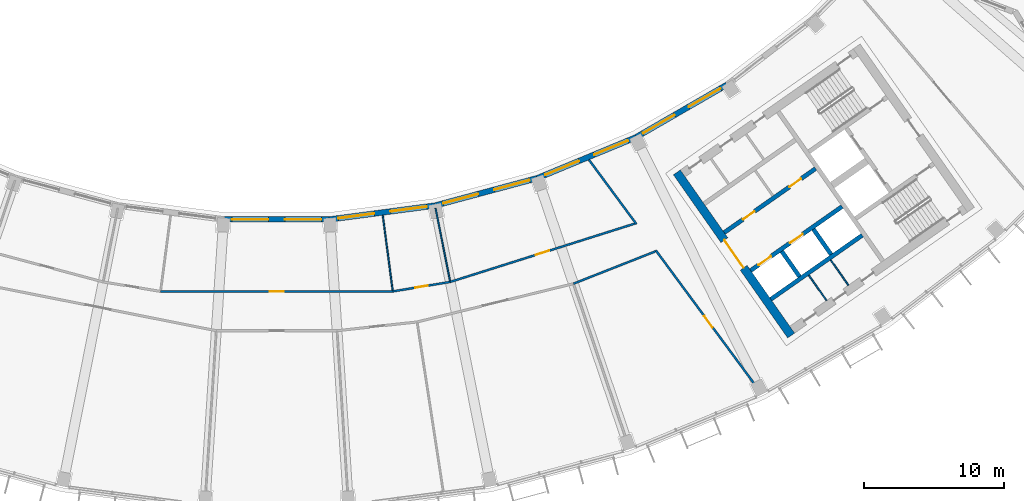
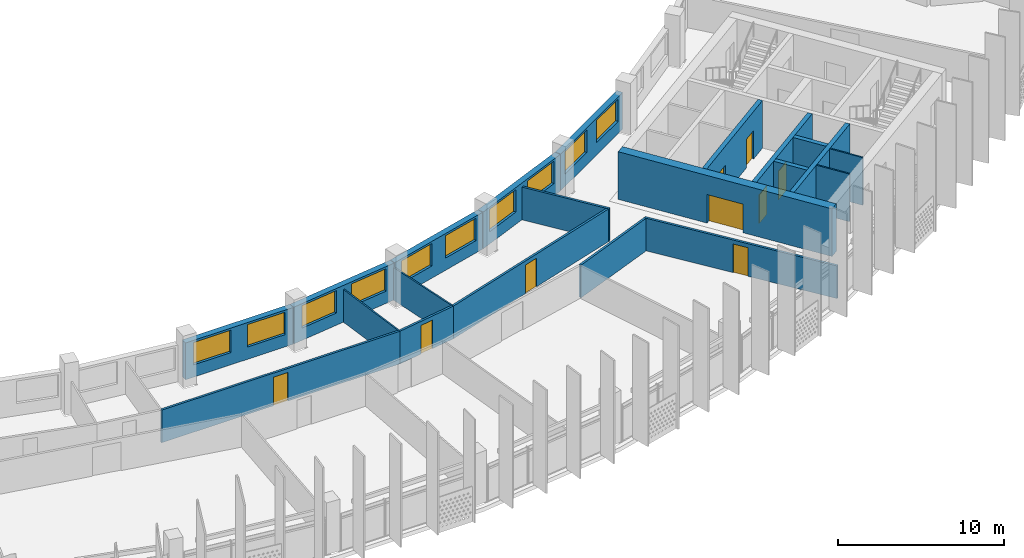
# One storey, part 5 of 29: 21 walls, 10 windows, 9 doors, 19 openings.
"""IFC4 building model written with IfcOpenShell, lengths in metres."""

from ifc_helpers import new_model, si_unit, direction, frame, frame_2d, origin, place, context, subcontext, project, spatial, rectangle, extrude, material, layer, layer_set, type_object, element, fill, save


model = new_model("IFC4")

# Units and contexts
model_context = context("Model", 3, precision=1e-05, world=origin(), true_north=direction((0.0, 1.0)))
body_context = subcontext(model_context, "Body", "Model", "MODEL_VIEW")
ifc_project = project(units=[si_unit("LENGTHUNIT", "METRE"), si_unit("AREAUNIT", "SQUARE_METRE"), si_unit("VOLUMEUNIT", "CUBIC_METRE"), si_unit("PLANEANGLEUNIT", "RADIAN"), si_unit("MASSUNIT", "GRAM", prefix="KILO")], contexts=[model_context])

# Site, building, storey
site_placement = place(None, origin())
site = spatial("IfcSite", under=ifc_project, at=site_placement, CompositionType="ELEMENT")
building_placement = place(site_placement, origin())
building = spatial("IfcBuilding", under=site, at=building_placement, Name="Qamariyya Broadcast Tower", CompositionType="ELEMENT")
storey_placement = place(building_placement, frame((0.0, 0.0, 258.10009765625)))
storey = spatial("IfcBuildingStorey", under=building, at=storey_placement, Name="L62", CompositionType="ELEMENT", Elevation=258.10009765625)

# Wall, opening, door
ifc_material_1 = material(Name="Concrete C60/75", Category="concrete")
ifc_layer_1 = layer(ifc_material_1, 0.60009765625)
ifc_layer_set_1 = layer_set([ifc_layer_1], Name="Core wall 600 mm Concrete C60/75")
wall_type_1 = type_object("IfcWallType", Name="Core wall 600 mm Concrete C60/75", PredefinedType="SHEAR", material=ifc_layer_set_1)
wall_1_placement = place(storey_placement, frame((36.66748046875, -66.005126953125, 0.0), z_axis=(0.0, 0.0, 1.0), x_axis=(-0.573568499524, 0.819157601658, 0.0)))
wall_1 = element("IfcWall", 1, at=wall_1_placement, inside=storey, type_object=wall_type_1, Name="k-E-L62-WA", PredefinedType="SHEAR", context=body_context, shape_type="SweptSolid", body=[
    extrude(rectangle(XDim=14.19970703125, YDim=0.60009765625, at=frame_2d((7.099853515625, 0.0))), origin(), (0.0, 0.0, 1.0), 3.5),
])
opening_1_placement = place(wall_1_placement, frame((5.89990234375, 0.0, 0.0)))
opening_1 = element("IfcOpeningElement", 2, at=opening_1_placement, cuts=wall_1, Name="Opening KD3-E1", PredefinedType="OPENING", context=body_context, shape_type="SweptSolid", body=[
    extrude(rectangle(XDim=2.39990234375, YDim=2.10009765625, at=frame_2d((1.199951171875, 1.050048828125))), frame((0.0, 0.31005859375, 0.0), z_axis=(0.0, -1.0, 0.0), x_axis=(1.0, 0.0, 0.0)), (0.0, 0.0, 1.0), 0.6201171875),
])
ifc_material_2 = material(Name="Steel fire-resisting door leaf", Category="steel")
door_type_1 = type_object("IfcDoorType", Name="Lift lobby door KD3", OperationType="DOUBLE_DOOR_SINGLE_SWING", PredefinedType="DOOR", material=ifc_material_2)
door_1_placement = place(opening_1_placement, origin())
door_1 = element("IfcDoor", 3, at=door_1_placement, inside=storey, type_object=door_type_1, Name="k-E-L62-WA-D1", OperationType="DOUBLE_DOOR_SINGLE_SWING", OverallHeight=2.10009765625, OverallWidth=2.39990234375, PredefinedType="DOOR", context=body_context, shape_type="SweptSolid", body=[
    extrude(rectangle(XDim=2.39990234375, YDim=2.10009765625, at=frame_2d((1.199951171875, 1.050048828125))), frame((0.0, 0.02490234375, 0.0), z_axis=(0.0, -1.0, 0.0), x_axis=(1.0, 0.0, 0.0)), (0.0, 0.0, 1.0), 0.050048828125),
])
fill(opening_1, door_1)

ifc_material_3 = material(Name="Gypsum board partition")
ifc_layer_2 = layer(ifc_material_3, 0.14990234375)
ifc_layer_set_2 = layer_set([ifc_layer_2], Name="Corridor partition 150 EI 60")
wall_type_2 = type_object("IfcWallType", Name="Corridor partition 150 EI 60", PredefinedType="PARTITIONING", material=ifc_layer_set_2)
wall_2_placement = place(storey_placement, frame((-8.275390625, -62.857666015625, 0.0), z_axis=(0.0, 0.0, 1.0), x_axis=(1.0, 0.0, 0.0)))
wall_2 = element("IfcWall", 4, at=wall_2_placement, inside=storey, type_object=wall_type_2, Name="Partition L62-014", PredefinedType="PARTITIONING", context=body_context, shape_type="SweptSolid", body=[
    extrude(rectangle(XDim=16.55078125, YDim=0.14990234375, at=frame_2d((8.275390625, 0.0))), origin(), (0.0, 0.0, 1.0), 2.39990234375),
])
opening_2_placement = place(wall_2_placement, frame((7.775390625, 0.0, 0.0)))
opening_2 = element("IfcOpeningElement", 5, at=opening_2_placement, cuts=wall_2, Name="Opening L62-D11", PredefinedType="OPENING", context=body_context, shape_type="SweptSolid", body=[
    extrude(rectangle(XDim=1.0, YDim=2.10009765625, at=frame_2d((0.5, 1.050048828125))), frame((0.0, 0.0849609375, 0.0), z_axis=(0.0, -1.0, 0.0), x_axis=(1.0, 0.0, 0.0)), (0.0, 0.0, 1.0), 0.169921875),
])
ifc_material_4 = material(Name="Timber fire door leaf", Category="wood")
door_type_2 = type_object("IfcDoorType", Name="Fire door 1000 x 2100 FD60", OperationType="NOTDEFINED", PredefinedType="DOOR", material=ifc_material_4)
door_2_placement = place(opening_2_placement, origin())
door_2 = element("IfcDoor", 6, at=door_2_placement, inside=storey, type_object=door_type_2, Name="Door L62-D11", OperationType="SINGLE_SWING_RIGHT", OverallHeight=2.10009765625, OverallWidth=1.0, PredefinedType="DOOR", context=body_context, shape_type="SweptSolid", body=[
    extrude(rectangle(XDim=1.0, YDim=2.10009765625, at=frame_2d((0.5, 1.050048828125))), frame((0.0, 0.02490234375, 0.0), z_axis=(0.0, -1.0, 0.0), x_axis=(1.0, 0.0, 0.0)), (0.0, 0.0, 1.0), 0.050048828125),
])
fill(opening_2, door_2)

wall_3_placement = place(storey_placement, frame((8.275390625, -62.857666015625, 0.0), z_axis=(0.0, 0.0, 1.0), x_axis=(0.986644067936, 0.162891016345, 0.0)))
wall_3 = element("IfcWall", 7, at=wall_3_placement, inside=storey, type_object=wall_type_2, Name="Partition L62-021", PredefinedType="PARTITIONING", context=body_context, shape_type="SweptSolid", body=[
    extrude(rectangle(XDim=4.148681640625, YDim=0.14990234375, at=frame_2d((2.07421875, 0.0))), origin(), (0.0, 0.0, 1.0), 2.39990234375),
])
opening_3_placement = place(wall_3_placement, frame((1.62451171875, 0.0, 0.0)))
opening_3 = element("IfcOpeningElement", 8, at=opening_3_placement, cuts=wall_3, Name="Opening L62-D12", PredefinedType="OPENING", context=body_context, shape_type="SweptSolid", body=[
    extrude(rectangle(XDim=0.89990234375, YDim=2.10009765625, at=frame_2d((0.449951171875, 1.050048828125))), frame((0.0, 0.0849609375, 0.0), z_axis=(0.0, -1.0, 0.0), x_axis=(1.0, 0.0, 0.0)), (0.0, 0.0, 1.0), 0.169921875),
])
door_type_3 = type_object("IfcDoorType", Name="Fire door 900 x 2100 FD60", OperationType="NOTDEFINED", PredefinedType="DOOR", material=ifc_material_4)
door_3_placement = place(opening_3_placement, origin())
door_3 = element("IfcDoor", 9, at=door_3_placement, inside=storey, type_object=door_type_3, Name="Door L62-D12", OperationType="SINGLE_SWING_RIGHT", OverallHeight=2.10009765625, OverallWidth=0.89990234375, PredefinedType="DOOR", context=body_context, shape_type="SweptSolid", body=[
    extrude(rectangle(XDim=0.89990234375, YDim=2.10009765625, at=frame_2d((0.449951171875, 1.050048828125))), frame((0.0, 0.02490234375, 0.0), z_axis=(0.0, -1.0, 0.0), x_axis=(1.0, 0.0, 0.0)), (0.0, 0.0, 1.0), 0.050048828125),
])
fill(opening_3, door_3)

wall_4_placement = place(storey_placement, frame((12.36865234375, -62.181884765625, 0.0), z_axis=(0.0, 0.0, 1.0), x_axis=(0.953549502203, 0.301236363754, 0.0)))
wall_4 = element("IfcWall", 10, at=wall_4_placement, inside=storey, type_object=wall_type_2, Name="Partition L62-025", PredefinedType="PARTITIONING", context=body_context, shape_type="SweptSolid", body=[
    extrude(rectangle(XDim=13.798828125, YDim=0.14990234375, at=frame_2d((6.8994140625, 0.0))), origin(), (0.0, 0.0, 1.0), 2.39990234375),
])
opening_4_placement = place(wall_4_placement, frame((6.3994140625, 0.0, 0.0)))
opening_4 = element("IfcOpeningElement", 11, at=opening_4_placement, cuts=wall_4, Name="Opening L62-D13", PredefinedType="OPENING", context=body_context, shape_type="SweptSolid", body=[
    extrude(rectangle(XDim=1.0, YDim=2.10009765625, at=frame_2d((0.5, 1.050048828125))), frame((0.0, 0.0849609375, 0.0), z_axis=(0.0, -1.0, 0.0), x_axis=(1.0, 0.0, 0.0)), (0.0, 0.0, 1.0), 0.169921875),
])
door_4_placement = place(opening_4_placement, origin())
door_4 = element("IfcDoor", 12, at=door_4_placement, inside=storey, type_object=door_type_2, Name="Door L62-D13", OperationType="SINGLE_SWING_RIGHT", OverallHeight=2.10009765625, OverallWidth=1.0, PredefinedType="DOOR", context=body_context, shape_type="SweptSolid", body=[
    extrude(rectangle(XDim=1.0, YDim=2.10009765625, at=frame_2d((0.5, 1.050048828125))), frame((0.0, 0.02490234375, 0.0), z_axis=(0.0, -1.0, 0.0), x_axis=(1.0, 0.0, 0.0)), (0.0, 0.0, 1.0), 0.050048828125),
])
fill(opening_4, door_4)

# Walls
wall_5_placement = place(storey_placement, frame((21.150634765625, -62.30810546875, 0.0), z_axis=(0.0, 0.0, 1.0), x_axis=(0.930319497785, 0.366750094806, 0.0)))
element("IfcWall", 13, at=wall_5_placement, inside=storey, type_object=wall_type_2, Name="Partition L62-026", PredefinedType="PARTITIONING", context=body_context, shape_type="SweptSolid", body=[
    extrude(rectangle(XDim=6.274169921875, YDim=0.14990234375, at=frame_2d((3.13720703125, 0.0))), origin(), (0.0, 0.0, 1.0), 2.39990234375),
])
wall_6_placement = place(storey_placement, frame((22.251953125, -53.469482421875, 0.0), z_axis=(0.0, 0.0, 1.0), x_axis=(0.593872728047, -0.804558999006, 0.0)))
element("IfcWall", 14, at=wall_6_placement, inside=storey, type_object=wall_type_2, Name="Partition L62-027", PredefinedType="PARTITIONING", context=body_context, shape_type="SweptSolid", body=[
    extrude(rectangle(XDim=5.709228515625, YDim=0.14990234375, at=frame_2d((2.8544921875, 0.0))), origin(), (0.0, 0.0, 1.0), 2.39990234375),
])

# Wall, opening, door
wall_7_placement = place(storey_placement, frame((34.534423828125, -70.109130859375, 0.0), z_axis=(0.0, 0.0, 1.0), x_axis=(-0.593869528805, 0.804561360467, 0.0)))
wall_7 = element("IfcWall", 15, at=wall_7_placement, inside=storey, type_object=wall_type_2, Name="Partition L62-029", PredefinedType="PARTITIONING", context=body_context, shape_type="SweptSolid", body=[
    extrude(rectangle(XDim=12.665283203125, YDim=0.14990234375, at=frame_2d((6.33251953125, 0.0))), origin(), (0.0, 0.0, 1.0), 2.39990234375),
])
opening_5_placement = place(wall_7_placement, frame((5.832763671875, 0.0, 0.0)))
opening_5 = element("IfcOpeningElement", 16, at=opening_5_placement, cuts=wall_7, Name="Opening L62-D07", PredefinedType="OPENING", context=body_context, shape_type="SweptSolid", body=[
    extrude(rectangle(XDim=1.0, YDim=2.10009765625, at=frame_2d((0.5, 1.050048828125))), frame((0.0, 0.0849609375, 0.0), z_axis=(0.0, -1.0, 0.0), x_axis=(1.0, 0.0, 0.0)), (0.0, 0.0, 1.0), 0.169921875),
])
door_5_placement = place(opening_5_placement, origin())
door_5 = element("IfcDoor", 17, at=door_5_placement, inside=storey, type_object=door_type_2, Name="Door L62-D07", OperationType="SINGLE_SWING_RIGHT", OverallHeight=2.10009765625, OverallWidth=1.0, PredefinedType="DOOR", context=body_context, shape_type="SweptSolid", body=[
    extrude(rectangle(XDim=1.0, YDim=2.10009765625, at=frame_2d((0.5, 1.050048828125))), frame((0.0, 0.02490234375, 0.0), z_axis=(0.0, -1.0, 0.0), x_axis=(1.0, 0.0, 0.0)), (0.0, 0.0, 1.0), 0.050048828125),
])
fill(opening_5, door_5)

# Wall, openings, doors
ifc_layer_3 = layer(ifc_material_1, 0.300048828125)
ifc_layer_set_3 = layer_set([ifc_layer_3], Name="Lift shaft wall 300 mm Concrete C60/75")
wall_type_3 = type_object("IfcWallType", Name="Lift shaft wall 300 mm Concrete C60/75", PredefinedType="SOLIDWALL", material=ifc_layer_set_3)
wall_8_placement = place(storey_placement, frame((31.89453125, -58.66552734375, 0.0), z_axis=(0.0, 0.0, 1.0), x_axis=(0.819166993208, 0.573555086491, 0.0)))
wall_8 = element("IfcWall", 18, at=wall_8_placement, inside=storey, type_object=wall_type_3, Name="k-E-L62-NF0", PredefinedType="SOLIDWALL", context=body_context, shape_type="SweptSolid", body=[
    extrude(rectangle(XDim=7.9501953125, YDim=0.300048828125, at=frame_2d((3.97509765625, 0.0))), origin(), (0.0, 0.0, 1.0), 3.5),
])
opening_6_placement = place(wall_8_placement, frame((1.637451171875, 0.0, 0.0)))
opening_6 = element("IfcOpeningElement", 19, at=opening_6_placement, cuts=wall_8, Name="Opening KD6-E1", PredefinedType="OPENING", context=body_context, shape_type="SweptSolid", body=[
    extrude(rectangle(XDim=1.0, YDim=2.10009765625, at=frame_2d((0.5, 1.050048828125))), frame((0.0, 0.159912109375, 0.0), z_axis=(0.0, -1.0, 0.0), x_axis=(1.0, 0.0, 0.0)), (0.0, 0.0, 1.0), 0.320068359375),
])
opening_7_placement = place(wall_8_placement, frame((5.6875, 0.0, 0.0)))
opening_7 = element("IfcOpeningElement", 20, at=opening_7_placement, cuts=wall_8, Name="Opening KD6-E2", PredefinedType="OPENING", context=body_context, shape_type="SweptSolid", body=[
    extrude(rectangle(XDim=1.0, YDim=2.10009765625, at=frame_2d((0.5, 1.050048828125))), frame((0.0, 0.159912109375, 0.0), z_axis=(0.0, -1.0, 0.0), x_axis=(1.0, 0.0, 0.0)), (0.0, 0.0, 1.0), 0.320068359375),
])
door_type_4 = type_object("IfcDoorType", Name="Core room door KD6", OperationType="SINGLE_SWING_LEFT", PredefinedType="DOOR", material=ifc_material_2)
door_6_placement = place(opening_6_placement, origin())
door_6 = element("IfcDoor", 21, at=door_6_placement, inside=storey, type_object=door_type_4, Name="k-E-L62-NF0-D2", OperationType="SINGLE_SWING_RIGHT", OverallHeight=2.10009765625, OverallWidth=1.0, PredefinedType="DOOR", context=body_context, shape_type="SweptSolid", body=[
    extrude(rectangle(XDim=1.0, YDim=2.10009765625, at=frame_2d((0.5, 1.050048828125))), frame((0.0, 0.02490234375, 0.0), z_axis=(0.0, -1.0, 0.0), x_axis=(1.0, 0.0, 0.0)), (0.0, 0.0, 1.0), 0.050048828125),
])
fill(opening_6, door_6)
door_7_placement = place(opening_7_placement, origin())
door_7 = element("IfcDoor", 22, at=door_7_placement, inside=storey, type_object=door_type_4, Name="k-E-L62-NF0-D3", OperationType="SINGLE_SWING_LEFT", OverallHeight=2.10009765625, OverallWidth=1.0, PredefinedType="DOOR", context=body_context, shape_type="SweptSolid", body=[
    extrude(rectangle(XDim=1.0, YDim=2.10009765625, at=frame_2d((0.5, 1.050048828125))), frame((0.0, 0.02490234375, 0.0), z_axis=(0.0, -1.0, 0.0), x_axis=(1.0, 0.0, 0.0)), (0.0, 0.0, 1.0), 0.050048828125),
])
fill(opening_7, door_7)

wall_9_placement = place(storey_placement, frame((33.787353515625, -61.368896484375, 0.0), z_axis=(0.0, 0.0, 1.0), x_axis=(0.819152564888, 0.573575692858, 0.0)))
wall_9 = element("IfcWall", 23, at=wall_9_placement, inside=storey, type_object=wall_type_3, Name="k-E-L62-SF0", PredefinedType="SOLIDWALL", context=body_context, shape_type="SweptSolid", body=[
    extrude(rectangle(XDim=7.9501953125, YDim=0.300048828125, at=frame_2d((3.97509765625, 0.0))), origin(), (0.0, 0.0, 1.0), 3.5),
])
opening_8_placement = place(wall_9_placement, frame((0.675048828125, 0.0, 0.0)))
opening_8 = element("IfcOpeningElement", 24, at=opening_8_placement, cuts=wall_9, Name="Opening LD", PredefinedType="OPENING", context=body_context, shape_type="SweptSolid", body=[
    extrude(rectangle(XDim=1.10009765625, YDim=2.10009765625, at=frame_2d((0.550048828125, 1.050048828125))), frame((0.0, 0.159912109375, 0.0), z_axis=(0.0, -1.0, 0.0), x_axis=(1.0, 0.0, 0.0)), (0.0, 0.0, 1.0), 0.320068359375),
])
opening_9_placement = place(wall_9_placement, frame((3.425048828125, 0.0, 0.0)))
opening_9 = element("IfcOpeningElement", 25, at=opening_9_placement, cuts=wall_9, Name="Opening LD", PredefinedType="OPENING", context=body_context, shape_type="SweptSolid", body=[
    extrude(rectangle(XDim=1.10009765625, YDim=2.10009765625, at=frame_2d((0.550048828125, 1.050048828125))), frame((0.0, 0.159912109375, 0.0), z_axis=(0.0, -1.0, 0.0), x_axis=(1.0, 0.0, 0.0)), (0.0, 0.0, 1.0), 0.320068359375),
])
door_type_5 = type_object("IfcDoorType", Name="Lift landing door LD", OperationType="DOUBLE_DOOR_SLIDING", PredefinedType="DOOR", material=ifc_material_2)
door_8_placement = place(opening_8_placement, origin())
door_8 = element("IfcDoor", 26, at=door_8_placement, inside=storey, type_object=door_type_5, Name="k-E-L62-SF0-D4", OperationType="DOUBLE_DOOR_SLIDING", OverallHeight=2.10009765625, OverallWidth=1.10009765625, PredefinedType="DOOR", context=body_context, shape_type="SweptSolid", body=[
    extrude(rectangle(XDim=1.10009765625, YDim=2.10009765625, at=frame_2d((0.550048828125, 1.050048828125))), frame((0.0, 0.02490234375, 0.0), z_axis=(0.0, -1.0, 0.0), x_axis=(1.0, 0.0, 0.0)), (0.0, 0.0, 1.0), 0.050048828125),
])
fill(opening_8, door_8)
door_9_placement = place(opening_9_placement, origin())
door_9 = element("IfcDoor", 27, at=door_9_placement, inside=storey, type_object=door_type_5, Name="k-E-L62-SF0-D5", OperationType="DOUBLE_DOOR_SLIDING", OverallHeight=2.10009765625, OverallWidth=1.10009765625, PredefinedType="DOOR", context=body_context, shape_type="SweptSolid", body=[
    extrude(rectangle(XDim=1.10009765625, YDim=2.10009765625, at=frame_2d((0.550048828125, 1.050048828125))), frame((0.0, 0.02490234375, 0.0), z_axis=(0.0, -1.0, 0.0), x_axis=(1.0, 0.0, 0.0)), (0.0, 0.0, 1.0), 0.050048828125),
])
fill(opening_9, door_9)

# Walls
wall_10_placement = place(storey_placement, frame((35.22119140625, -63.41650390625, 0.0), z_axis=(0.0, 0.0, 1.0), x_axis=(0.819166993208, 0.573555086491, 0.0)))
element("IfcWall", 28, at=wall_10_placement, inside=storey, type_object=wall_type_3, Name="k-E-L62-SB0", PredefinedType="SOLIDWALL", context=body_context, shape_type="SweptSolid", body=[
    extrude(rectangle(XDim=7.9501953125, YDim=0.300048828125, at=frame_2d((3.97509765625, 0.0))), origin(), (0.0, 0.0, 1.0), 3.5),
])
wall_11_placement = place(storey_placement, frame((36.003173828125, -60.000244140625, 0.0), z_axis=(0.0, 0.0, 1.0), x_axis=(0.573581496053, -0.819148501424, 0.0)))
element("IfcWall", 29, at=wall_11_placement, inside=storey, type_object=wall_type_3, Name="k-E-L62-SD0", PredefinedType="SOLIDWALL", context=body_context, shape_type="SweptSolid", body=[
    extrude(rectangle(XDim=2.2001953125, YDim=0.300048828125, at=frame_2d((1.10009765625, 0.0))), origin(), (0.0, 0.0, 1.0), 3.5),
])
wall_12_placement = place(storey_placement, frame((38.255859375, -58.423095703125, 0.0), z_axis=(0.0, 0.0, 1.0), x_axis=(0.573633636671, -0.819111989218, 0.0)))
element("IfcWall", 30, at=wall_12_placement, inside=storey, type_object=wall_type_3, Name="k-E-L62-SD1", PredefinedType="SOLIDWALL", context=body_context, shape_type="SweptSolid", body=[
    extrude(rectangle(XDim=2.199951171875, YDim=0.300048828125, at=frame_2d((1.10009765625, 0.0))), origin(), (0.0, 0.0, 1.0), 3.5),
])
ifc_layer_4 = layer(ifc_material_3, 0.10009765625)
ifc_layer_set_4 = layer_set([ifc_layer_4], Name="Partition 100")
wall_type_4 = type_object("IfcWallType", Name="Partition 100", PredefinedType="PARTITIONING", material=ifc_layer_set_4)
wall_13_placement = place(storey_placement, frame((7.56103515625, -57.430908203125, 0.0), z_axis=(0.0, 0.0, 1.0), x_axis=(0.130516514475, -0.991446135425, 0.0)))
element("IfcWall", 31, at=wall_13_placement, inside=storey, type_object=wall_type_4, Name="Partition L62-020", PredefinedType="PARTITIONING", context=body_context, shape_type="SweptSolid", body=[
    extrude(rectangle(XDim=5.3984375, YDim=0.10009765625, at=frame_2d((2.69921875, 0.0))), origin(), (0.0, 0.0, 1.0), 2.39990234375),
])
wall_14_placement = place(storey_placement, frame((11.324951171875, -56.9345703125, 0.0), z_axis=(0.0, 0.0, 1.0), x_axis=(0.195083555743, -0.980786626274, 0.0)))
element("IfcWall", 32, at=wall_14_placement, inside=storey, type_object=wall_type_4, Name="Partition L62-023", PredefinedType="PARTITIONING", context=body_context, shape_type="SweptSolid", body=[
    extrude(rectangle(XDim=5.27490234375, YDim=0.10009765625, at=frame_2d((2.637451171875, 0.0))), origin(), (0.0, 0.0, 1.0), 2.39990234375),
])
ifc_material_5 = material(Name="Fire-rated gypsum shaft liner on steel studs", Category="steel")
ifc_layer_5 = layer(ifc_material_5, 0.10009765625)
ifc_layer_set_5 = layer_set([ifc_layer_5], Name="Riser wall 100 mm")
wall_type_5 = type_object("IfcWallType", Name="Riser wall 100 mm", PredefinedType="PLUMBINGWALL", material=ifc_layer_set_5)
wall_15_placement = place(storey_placement, frame((37.9287109375, -61.7041015625, 0.0), z_axis=(0.0, 0.0, 1.0), x_axis=(0.573559170999, -0.819164133348, 0.0)))
element("IfcWall", 33, at=wall_15_placement, inside=storey, type_object=wall_type_5, Name="k-E-L62-SP320", PredefinedType="PLUMBINGWALL", context=body_context, shape_type="SweptSolid", body=[
    extrude(rectangle(XDim=2.19970703125, YDim=0.10009765625, at=frame_2d((1.099853515625, 0.0))), origin(), (0.0, 0.0, 1.0), 3.5),
])
wall_16_placement = place(storey_placement, frame((39.485107421875, -60.6142578125, 0.0), z_axis=(0.0, 0.0, 1.0), x_axis=(0.573507030513, -0.819200638399, 0.0)))
element("IfcWall", 34, at=wall_16_placement, inside=storey, type_object=wall_type_5, Name="k-E-L62-SP510", PredefinedType="PLUMBINGWALL", context=body_context, shape_type="SweptSolid", body=[
    extrude(rectangle(XDim=2.199951171875, YDim=0.10009765625, at=frame_2d((1.10009765625, 0.0))), origin(), (0.0, 0.0, 1.0), 3.5),
])

# Wall, openings, windows
ifc_material_6 = material(Name="Terracotta", Category="masonry")
ifc_layer_6 = layer(ifc_material_6, 0.39990234375)
ifc_layer_set_6 = layer_set([ifc_layer_6], Name="Terracotta clad wall 400")
wall_type_6 = type_object("IfcWallType", Name="Terracotta clad wall 400", PredefinedType="SOLIDWALL", material=ifc_layer_set_6)
wall_17_placement = place(storey_placement, frame((25.609619140625, -51.875, 0.0), z_axis=(0.0, 0.0, 1.0), x_axis=(-0.923887531937, -0.382664119472, 0.0)))
wall_17 = element("IfcWall", 35, at=wall_17_placement, inside=storey, type_object=wall_type_6, Name="e-wl-L62-in100", PredefinedType="SOLIDWALL", context=body_context, shape_type="SweptSolid", body=[
    extrude(rectangle(XDim=7.6171875, YDim=0.39990234375, at=frame_2d((3.80859375, 0.0))), origin(), (0.0, 0.0, 1.0), 2.699951171875),
])
opening_10_placement = place(wall_17_placement, frame((4.393798828125, 0.0, 0.89990234375)))
opening_10 = element("IfcOpeningElement", 36, at=opening_10_placement, cuts=wall_17, Name="Opening W1", PredefinedType="OPENING", context=body_context, shape_type="SweptSolid", body=[
    extrude(rectangle(XDim=2.60009765625, YDim=1.64990234375, at=frame_2d((1.300048828125, 0.824951171875))), frame((0.0, 0.2099609375, 0.0), z_axis=(0.0, -1.0, 0.0), x_axis=(1.0, 0.0, 0.0)), (0.0, 0.0, 1.0), 0.419921875),
])
opening_11_placement = place(wall_17_placement, frame((0.623291015625, 0.0, 0.89990234375)))
opening_11 = element("IfcOpeningElement", 37, at=opening_11_placement, cuts=wall_17, Name="Opening W1", PredefinedType="OPENING", context=body_context, shape_type="SweptSolid", body=[
    extrude(rectangle(XDim=2.60009765625, YDim=1.64990234375, at=frame_2d((1.300048828125, 0.824951171875))), frame((0.0, 0.2099609375, 0.0), z_axis=(0.0, -1.0, 0.0), x_axis=(1.0, 0.0, 0.0)), (0.0, 0.0, 1.0), 0.419921875),
])
ifc_material_7 = material(Name="Clear low-e double glazed unit in aluminium frame", Category="aluminium")
window_type = type_object("IfcWindowType", Name="Ribbon window 2600 x 1650", PartitioningType="SINGLE_PANEL", PredefinedType="WINDOW", material=ifc_material_7)
window_1_placement = place(opening_10_placement, origin())
window_1 = element("IfcWindow", 38, at=window_1_placement, inside=storey, type_object=window_type, Name="e-w-L62-in10-0", OverallHeight=1.64990234375, OverallWidth=2.60009765625, PartitioningType="SINGLE_PANEL", PredefinedType="WINDOW", context=body_context, shape_type="SweptSolid", body=[
    extrude(rectangle(XDim=2.60009765625, YDim=1.64990234375, at=frame_2d((1.300048828125, 0.824951171875))), frame((0.0, 0.030029296875, 0.0), z_axis=(0.0, -1.0, 0.0), x_axis=(1.0, 0.0, 0.0)), (0.0, 0.0, 1.0), 0.06005859375),
])
fill(opening_10, window_1)
window_2_placement = place(opening_11_placement, origin())
window_2 = element("IfcWindow", 39, at=window_2_placement, inside=storey, type_object=window_type, Name="e-w-L62-in10-1", OverallHeight=1.64990234375, OverallWidth=2.60009765625, PartitioningType="SINGLE_PANEL", PredefinedType="WINDOW", context=body_context, shape_type="SweptSolid", body=[
    extrude(rectangle(XDim=2.60009765625, YDim=1.64990234375, at=frame_2d((1.300048828125, 0.824951171875))), frame((0.0, 0.030029296875, 0.0), z_axis=(0.0, -1.0, 0.0), x_axis=(1.0, 0.0, 0.0)), (0.0, 0.0, 1.0), 0.06005859375),
])
fill(opening_11, window_2)

wall_18_placement = place(storey_placement, frame((32.095947265625, -48.126220703125, 0.0), z_axis=(0.0, 0.0, 1.0), x_axis=(-0.866016763373, -0.500014965334, 0.0)))
wall_18 = element("IfcWall", 40, at=wall_18_placement, inside=storey, type_object=wall_type_6, Name="e-wl-L62-in110", PredefinedType="SOLIDWALL", context=body_context, shape_type="SweptSolid", body=[
    extrude(rectangle(XDim=7.465576171875, YDim=0.39990234375, at=frame_2d((3.73291015625, 0.0))), origin(), (0.0, 0.0, 1.0), 2.699951171875),
])
opening_12_placement = place(wall_18_placement, frame((4.318115234375, 0.0, 0.89990234375)))
opening_12 = element("IfcOpeningElement", 41, at=opening_12_placement, cuts=wall_18, Name="Opening W1", PredefinedType="OPENING", context=body_context, shape_type="SweptSolid", body=[
    extrude(rectangle(XDim=2.60009765625, YDim=1.64990234375, at=frame_2d((1.300048828125, 0.824951171875))), frame((0.0, 0.2099609375, 0.0), z_axis=(0.0, -1.0, 0.0), x_axis=(1.0, 0.0, 0.0)), (0.0, 0.0, 1.0), 0.419921875),
])
opening_13_placement = place(wall_18_placement, frame((0.547607421875, 0.0, 0.89990234375)))
opening_13 = element("IfcOpeningElement", 42, at=opening_13_placement, cuts=wall_18, Name="Opening W1", PredefinedType="OPENING", context=body_context, shape_type="SweptSolid", body=[
    extrude(rectangle(XDim=2.60009765625, YDim=1.64990234375, at=frame_2d((1.300048828125, 0.824951171875))), frame((0.0, 0.2099609375, 0.0), z_axis=(0.0, -1.0, 0.0), x_axis=(1.0, 0.0, 0.0)), (0.0, 0.0, 1.0), 0.419921875),
])
window_3_placement = place(opening_12_placement, origin())
window_3 = element("IfcWindow", 43, at=window_3_placement, inside=storey, type_object=window_type, Name="e-w-L62-in11-0", OverallHeight=1.64990234375, OverallWidth=2.60009765625, PartitioningType="SINGLE_PANEL", PredefinedType="WINDOW", context=body_context, shape_type="SweptSolid", body=[
    extrude(rectangle(XDim=2.60009765625, YDim=1.64990234375, at=frame_2d((1.300048828125, 0.824951171875))), frame((0.0, 0.030029296875, 0.0), z_axis=(0.0, -1.0, 0.0), x_axis=(1.0, 0.0, 0.0)), (0.0, 0.0, 1.0), 0.06005859375),
])
fill(opening_12, window_3)
window_4_placement = place(opening_13_placement, origin())
window_4 = element("IfcWindow", 44, at=window_4_placement, inside=storey, type_object=window_type, Name="e-w-L62-in11-1", OverallHeight=1.64990234375, OverallWidth=2.60009765625, PartitioningType="SINGLE_PANEL", PredefinedType="WINDOW", context=body_context, shape_type="SweptSolid", body=[
    extrude(rectangle(XDim=2.60009765625, YDim=1.64990234375, at=frame_2d((1.300048828125, 0.824951171875))), frame((0.0, 0.030029296875, 0.0), z_axis=(0.0, -1.0, 0.0), x_axis=(1.0, 0.0, 0.0)), (0.0, 0.0, 1.0), 0.06005859375),
])
fill(opening_13, window_4)

wall_19_placement = place(storey_placement, frame((3.73291015625, -57.7265625, 0.0), z_axis=(0.0, 0.0, 1.0), x_axis=(-1.0, 0.0, 0.0)))
wall_19 = element("IfcWall", 45, at=wall_19_placement, inside=storey, type_object=wall_type_6, Name="e-wl-L62-in70", PredefinedType="SOLIDWALL", context=body_context, shape_type="SweptSolid", body=[
    extrude(rectangle(XDim=7.4658203125, YDim=0.39990234375, at=frame_2d((3.73291015625, 0.0))), origin(), (0.0, 0.0, 1.0), 2.699951171875),
])
opening_14_placement = place(wall_19_placement, frame((4.318115234375, 0.0, 0.89990234375)))
opening_14 = element("IfcOpeningElement", 46, at=opening_14_placement, cuts=wall_19, Name="Opening W1", PredefinedType="OPENING", context=body_context, shape_type="SweptSolid", body=[
    extrude(rectangle(XDim=2.60009765625, YDim=1.64990234375, at=frame_2d((1.300048828125, 0.824951171875))), frame((0.0, 0.2099609375, 0.0), z_axis=(0.0, -1.0, 0.0), x_axis=(1.0, 0.0, 0.0)), (0.0, 0.0, 1.0), 0.419921875),
])
opening_15_placement = place(wall_19_placement, frame((0.547607421875, 0.0, 0.89990234375)))
opening_15 = element("IfcOpeningElement", 47, at=opening_15_placement, cuts=wall_19, Name="Opening W1", PredefinedType="OPENING", context=body_context, shape_type="SweptSolid", body=[
    extrude(rectangle(XDim=2.60009765625, YDim=1.64990234375, at=frame_2d((1.300048828125, 0.824951171875))), frame((0.0, 0.2099609375, 0.0), z_axis=(0.0, -1.0, 0.0), x_axis=(1.0, 0.0, 0.0)), (0.0, 0.0, 1.0), 0.419921875),
])
window_5_placement = place(opening_14_placement, origin())
window_5 = element("IfcWindow", 48, at=window_5_placement, inside=storey, type_object=window_type, Name="e-w-L62-in07-0", OverallHeight=1.64990234375, OverallWidth=2.60009765625, PartitioningType="SINGLE_PANEL", PredefinedType="WINDOW", context=body_context, shape_type="SweptSolid", body=[
    extrude(rectangle(XDim=2.60009765625, YDim=1.64990234375, at=frame_2d((1.300048828125, 0.824951171875))), frame((0.0, 0.030029296875, 0.0), z_axis=(0.0, -1.0, 0.0), x_axis=(1.0, 0.0, 0.0)), (0.0, 0.0, 1.0), 0.06005859375),
])
fill(opening_14, window_5)
window_6_placement = place(opening_15_placement, origin())
window_6 = element("IfcWindow", 49, at=window_6_placement, inside=storey, type_object=window_type, Name="e-w-L62-in07-1", OverallHeight=1.64990234375, OverallWidth=2.60009765625, PartitioningType="SINGLE_PANEL", PredefinedType="WINDOW", context=body_context, shape_type="SweptSolid", body=[
    extrude(rectangle(XDim=2.60009765625, YDim=1.64990234375, at=frame_2d((1.300048828125, 0.824951171875))), frame((0.0, 0.030029296875, 0.0), z_axis=(0.0, -1.0, 0.0), x_axis=(1.0, 0.0, 0.0)), (0.0, 0.0, 1.0), 0.06005859375),
])
fill(opening_15, window_6)

wall_20_placement = place(storey_placement, frame((11.310791015625, -56.735595703125, 0.0), z_axis=(0.0, 0.0, 1.0), x_axis=(-0.991446548217, -0.130513378733, 0.0)))
wall_20 = element("IfcWall", 50, at=wall_20_placement, inside=storey, type_object=wall_type_6, Name="e-wl-L62-in80", PredefinedType="SOLIDWALL", context=body_context, shape_type="SweptSolid", body=[
    extrude(rectangle(XDim=7.6171875, YDim=0.39990234375, at=frame_2d((3.80859375, 0.0))), origin(), (0.0, 0.0, 1.0), 2.699951171875),
])
opening_16_placement = place(wall_20_placement, frame((4.393798828125, 0.0, 0.89990234375)))
opening_16 = element("IfcOpeningElement", 51, at=opening_16_placement, cuts=wall_20, Name="Opening W1", PredefinedType="OPENING", context=body_context, shape_type="SweptSolid", body=[
    extrude(rectangle(XDim=2.60009765625, YDim=1.64990234375, at=frame_2d((1.300048828125, 0.824951171875))), frame((0.0, 0.2099609375, 0.0), z_axis=(0.0, -1.0, 0.0), x_axis=(1.0, 0.0, 0.0)), (0.0, 0.0, 1.0), 0.419921875),
])
opening_17_placement = place(wall_20_placement, frame((0.623291015625, 0.0, 0.89990234375)))
opening_17 = element("IfcOpeningElement", 52, at=opening_17_placement, cuts=wall_20, Name="Opening W1", PredefinedType="OPENING", context=body_context, shape_type="SweptSolid", body=[
    extrude(rectangle(XDim=2.60009765625, YDim=1.64990234375, at=frame_2d((1.300048828125, 0.824951171875))), frame((0.0, 0.2099609375, 0.0), z_axis=(0.0, -1.0, 0.0), x_axis=(1.0, 0.0, 0.0)), (0.0, 0.0, 1.0), 0.419921875),
])
window_7_placement = place(opening_16_placement, origin())
window_7 = element("IfcWindow", 53, at=window_7_placement, inside=storey, type_object=window_type, Name="e-w-L62-in08-0", OverallHeight=1.64990234375, OverallWidth=2.60009765625, PartitioningType="SINGLE_PANEL", PredefinedType="WINDOW", context=body_context, shape_type="SweptSolid", body=[
    extrude(rectangle(XDim=2.60009765625, YDim=1.64990234375, at=frame_2d((1.300048828125, 0.824951171875))), frame((0.0, 0.030029296875, 0.0), z_axis=(0.0, -1.0, 0.0), x_axis=(1.0, 0.0, 0.0)), (0.0, 0.0, 1.0), 0.06005859375),
])
fill(opening_16, window_7)
window_8_placement = place(opening_17_placement, origin())
window_8 = element("IfcWindow", 54, at=window_8_placement, inside=storey, type_object=window_type, Name="e-w-L62-in08-1", OverallHeight=1.64990234375, OverallWidth=2.60009765625, PartitioningType="SINGLE_PANEL", PredefinedType="WINDOW", context=body_context, shape_type="SweptSolid", body=[
    extrude(rectangle(XDim=2.60009765625, YDim=1.64990234375, at=frame_2d((1.300048828125, 0.824951171875))), frame((0.0, 0.030029296875, 0.0), z_axis=(0.0, -1.0, 0.0), x_axis=(1.0, 0.0, 0.0)), (0.0, 0.0, 1.0), 0.06005859375),
])
fill(opening_17, window_8)

wall_21_placement = place(storey_placement, frame((18.54638671875, -54.79345703125, 0.0), z_axis=(0.0, 0.0, 1.0), x_axis=(-0.965923236695, -0.258828709406, 0.0)))
wall_21 = element("IfcWall", 55, at=wall_21_placement, inside=storey, type_object=wall_type_6, Name="e-wl-L62-in90", PredefinedType="SOLIDWALL", context=body_context, shape_type="SweptSolid", body=[
    extrude(rectangle(XDim=7.4658203125, YDim=0.39990234375, at=frame_2d((3.73291015625, 0.0))), origin(), (0.0, 0.0, 1.0), 2.699951171875),
])
opening_18_placement = place(wall_21_placement, frame((4.318115234375, 0.0, 0.89990234375)))
opening_18 = element("IfcOpeningElement", 56, at=opening_18_placement, cuts=wall_21, Name="Opening W1", PredefinedType="OPENING", context=body_context, shape_type="SweptSolid", body=[
    extrude(rectangle(XDim=2.60009765625, YDim=1.64990234375, at=frame_2d((1.300048828125, 0.824951171875))), frame((0.0, 0.2099609375, 0.0), z_axis=(0.0, -1.0, 0.0), x_axis=(1.0, 0.0, 0.0)), (0.0, 0.0, 1.0), 0.419921875),
])
opening_19_placement = place(wall_21_placement, frame((0.547607421875, 0.0, 0.89990234375)))
opening_19 = element("IfcOpeningElement", 57, at=opening_19_placement, cuts=wall_21, Name="Opening W1", PredefinedType="OPENING", context=body_context, shape_type="SweptSolid", body=[
    extrude(rectangle(XDim=2.60009765625, YDim=1.64990234375, at=frame_2d((1.300048828125, 0.824951171875))), frame((0.0, 0.2099609375, 0.0), z_axis=(0.0, -1.0, 0.0), x_axis=(1.0, 0.0, 0.0)), (0.0, 0.0, 1.0), 0.419921875),
])
window_9_placement = place(opening_18_placement, origin())
window_9 = element("IfcWindow", 58, at=window_9_placement, inside=storey, type_object=window_type, Name="e-w-L62-in09-0", OverallHeight=1.64990234375, OverallWidth=2.60009765625, PartitioningType="SINGLE_PANEL", PredefinedType="WINDOW", context=body_context, shape_type="SweptSolid", body=[
    extrude(rectangle(XDim=2.60009765625, YDim=1.64990234375, at=frame_2d((1.300048828125, 0.824951171875))), frame((0.0, 0.030029296875, 0.0), z_axis=(0.0, -1.0, 0.0), x_axis=(1.0, 0.0, 0.0)), (0.0, 0.0, 1.0), 0.06005859375),
])
fill(opening_18, window_9)
window_10_placement = place(opening_19_placement, origin())
window_10 = element("IfcWindow", 59, at=window_10_placement, inside=storey, type_object=window_type, Name="e-w-L62-in09-1", OverallHeight=1.64990234375, OverallWidth=2.60009765625, PartitioningType="SINGLE_PANEL", PredefinedType="WINDOW", context=body_context, shape_type="SweptSolid", body=[
    extrude(rectangle(XDim=2.60009765625, YDim=1.64990234375, at=frame_2d((1.300048828125, 0.824951171875))), frame((0.0, 0.030029296875, 0.0), z_axis=(0.0, -1.0, 0.0), x_axis=(1.0, 0.0, 0.0)), (0.0, 0.0, 1.0), 0.06005859375),
])
fill(opening_19, window_10)

save(model, "model.ifc")
